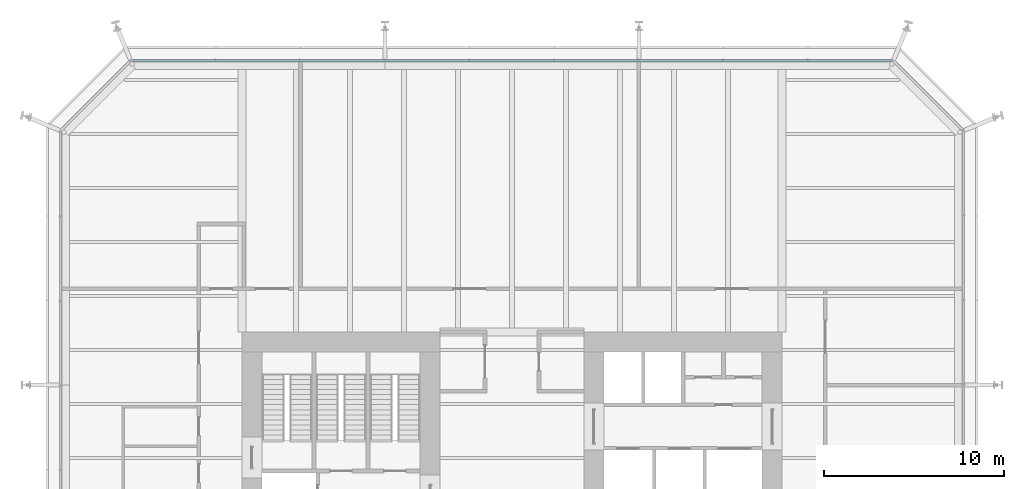
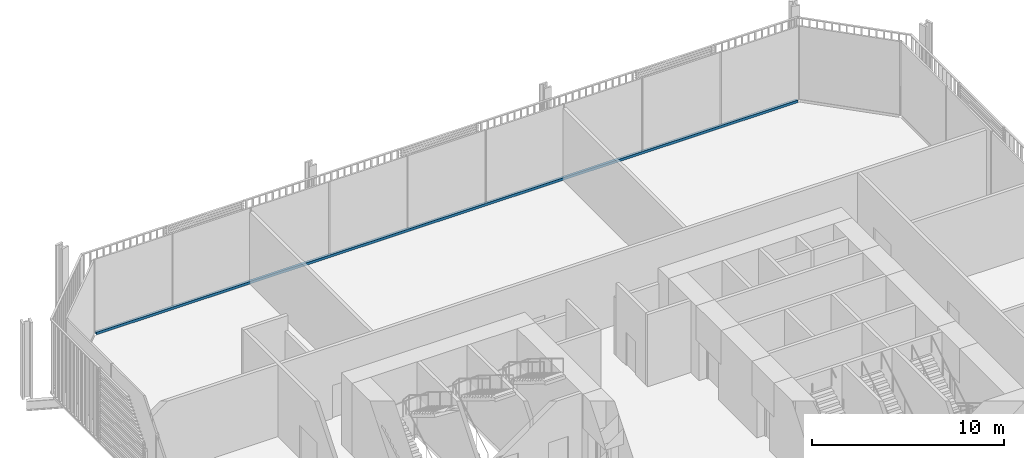
# One storey, part 15 of 22: 1 member, 1 element without a shape of its own.
"""IFC4 building model written with IfcOpenShell, lengths in metres."""

from ifc_helpers import new_model, si_unit, direction, frame, origin, origin_2d, place, context, subcontext, project, spatial, rectangle, extrude, material, layer, layer_set, material_profile, profile_set, type_object, element, aggregate, save


model = new_model("IFC4")

# Units and contexts
model_context = context("Model", 3, precision=1e-05, world=origin(), true_north=direction((0.0, 1.0)))
body_context = subcontext(model_context, "Body", "Model", "MODEL_VIEW")
ifc_project = project(units=[si_unit("LENGTHUNIT", "METRE"), si_unit("AREAUNIT", "SQUARE_METRE"), si_unit("VOLUMEUNIT", "CUBIC_METRE"), si_unit("PLANEANGLEUNIT", "RADIAN"), si_unit("MASSUNIT", "GRAM", prefix="KILO")], contexts=[model_context])

# Site, building, storey
site_placement = place(None, origin())
site = spatial("IfcSite", under=ifc_project, at=site_placement, CompositionType="ELEMENT")
building_placement = place(site_placement, origin())
building = spatial("IfcBuilding", under=site, at=building_placement, Name="Millrace Tower", CompositionType="ELEMENT")
storey_placement = place(building_placement, frame((0.0, 0.0, 49.699951171875)))
storey = spatial("IfcBuildingStorey", under=building, at=storey_placement, Name="L11", CompositionType="ELEMENT", Elevation=49.699951171875)

# Curtain wall, member
ifc_material_1 = material(Name="Aluminium and glass", Category="aluminium")
ifc_layer = layer(ifc_material_1, 0.14990234375)
ifc_layer_set = layer_set([ifc_layer], Name="Aluminium and glass")
curtain_wall_type = type_object("IfcCurtainWallType", Name="CW-2 data hall insulated curtain wall", PredefinedType="NOTDEFINED", material=ifc_layer_set)
curtain_wall_placement = place(storey_placement, origin())
curtain_wall = element("IfcCurtainWall", 1, at=curtain_wall_placement, inside=storey, type_object=curtain_wall_type, Name="Curtain wall A-F06 L11", PredefinedType="NOTDEFINED")
ifc_material_2 = material(Name="Aluminium", Category="aluminium")
ifc_material_profile = material_profile(ifc_material_2, rectangle(XDim=0.14990234375, YDim=0.159912109375, at=origin_2d()))
ifc_profile_set = profile_set([ifc_material_profile], Name="Aluminium")
member_type = type_object("IfcMemberType", Name="CW-2 data hall insulated curtain wall transom", PredefinedType="USERDEFINED", material=ifc_profile_set)
member_placement = place(storey_placement, frame((21.050048828125, 25.074951171875, 0.080078125), z_axis=(-1.0, 0.0, 0.0), x_axis=(0.0, -1.0, 0.0)))
member = element("IfcMember", 2, at=member_placement, type_object=member_type, Name="CW2 transom A-F06.1", ObjectType="TRANSOM", PredefinedType="USERDEFINED", context=body_context, shape_type="SweptSolid", body=[
    extrude(rectangle(XDim=0.14990234375, YDim=0.159912109375, at=origin_2d()), origin(), (0.0, 0.0, 1.0), 42.10009765625),
])
aggregate(curtain_wall, [member])

save(model, "model.ifc")
